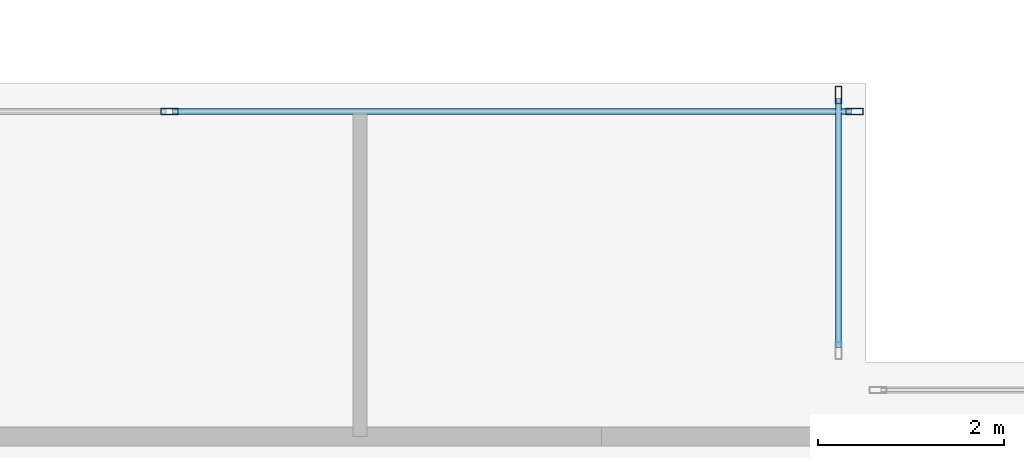
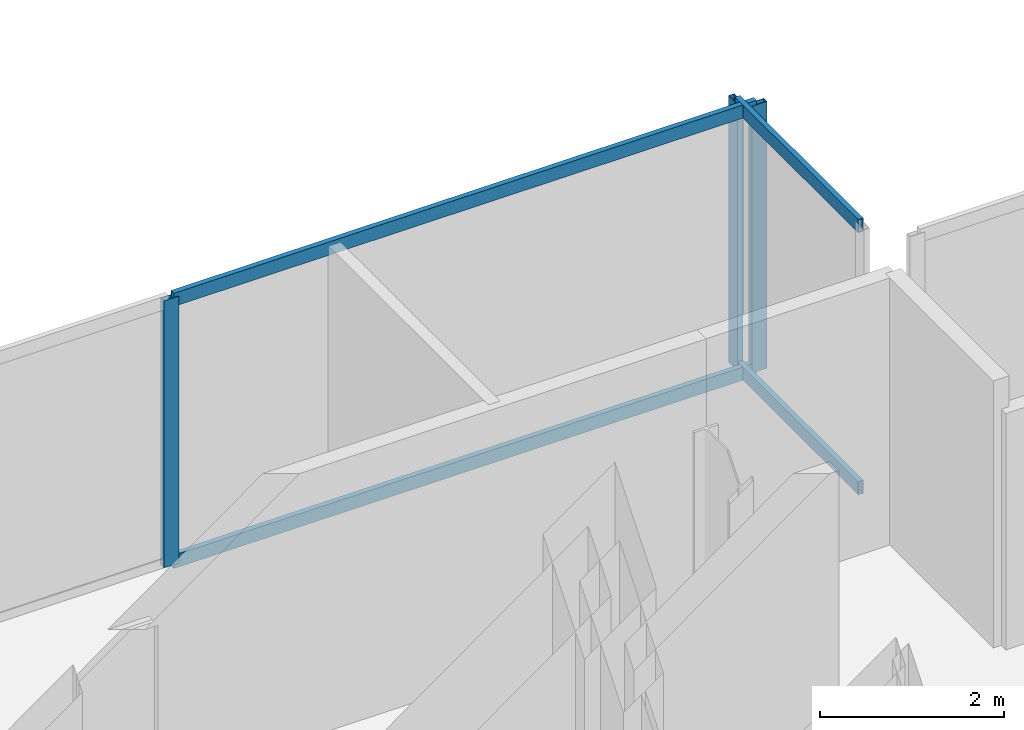
# One storey, part 12 of 21: 7 members, 2 elements without a shape of their own.
"""IFC4 building model written with IfcOpenShell, lengths in metres."""

from ifc_helpers import new_model, si_unit, direction, frame, origin, origin_2d, place, context, subcontext, project, spatial, hollow_rectangle, extrude, material, layer, layer_set, material_profile, profile_set, type_object, element, aggregate, save


model = new_model("IFC4")

# Units and contexts
model_context = context("Model", 3, precision=1e-05, world=origin(), true_north=direction((0.0, 1.0)))
body_context = subcontext(model_context, "Body", "Model", "MODEL_VIEW")
ifc_project = project(units=[si_unit("LENGTHUNIT", "METRE"), si_unit("AREAUNIT", "SQUARE_METRE"), si_unit("VOLUMEUNIT", "CUBIC_METRE"), si_unit("PLANEANGLEUNIT", "RADIAN"), si_unit("MASSUNIT", "GRAM", prefix="KILO"), si_unit("THERMODYNAMICTEMPERATUREUNIT", "KELVIN"), si_unit("POWERUNIT", "WATT")], contexts=[model_context])

# Site, building, storey
site_placement = place(None, origin())
site = spatial("IfcSite", under=ifc_project, at=site_placement, CompositionType="ELEMENT")
building_placement = place(site_placement, origin())
building = spatial("IfcBuilding", under=site, at=building_placement, Name="Svarakhadi Broadcast Tower", CompositionType="ELEMENT")
storey_placement = place(building_placement, frame((0.0, 0.0, 219.89990234375)))
storey = spatial("IfcBuildingStorey", under=building, at=storey_placement, Name="L54", CompositionType="ELEMENT", Elevation=219.89990234375)

# Curtain wall, members
ifc_material = material(Name="Anodised Bronze Aluminium AA 6063-T6", Category="aluminium")
ifc_layer = layer(ifc_material, 0.18994140625)
ifc_layer_set = layer_set([ifc_layer], Name="Anodised Bronze Aluminium AA 6063-T6")
curtain_wall_type = type_object("IfcCurtainWallType", Name="CW_Sys_04", PredefinedType="NOTDEFINED", material=ifc_layer_set)
curtain_wall_1_placement = place(storey_placement, origin())
curtain_wall_1 = element("IfcCurtainWall", 1, at=curtain_wall_1_placement, inside=storey, type_object=curtain_wall_type, Name="L54 Unitised Facade Curtain Wall 10", PredefinedType="NOTDEFINED")
ifc_material_profile_1 = material_profile(ifc_material, hollow_rectangle(XDim=0.070068359375, YDim=0.18994140625, WallThickness=0.005615234375, at=origin_2d()), Name="ALU MULLION 190x70x6")
ifc_profile_set_1 = profile_set([ifc_material_profile_1], Name="Anodised Bronze Aluminium AA 6063-T6")
member_type_1 = type_object("IfcMemberType", Name="CW_Sys_04_Mul", PredefinedType="MULLION", material=ifc_profile_set_1)
member_1_placement = place(storey_placement, frame((31.5, 23.699951171875, 0.0), z_axis=(0.0, 0.0, 1.0), x_axis=(0.0, 1.0, 0.0)))
member_1 = element("IfcMember", 2, at=member_1_placement, type_object=member_type_1, Name="CW-04 mullion 2", PredefinedType="MULLION", context=body_context, shape_type="SweptSolid", body=[
    extrude(hollow_rectangle(XDim=0.070068359375, YDim=0.18994140625, WallThickness=0.005615234375, at=origin_2d()), origin(), (0.0, 0.0, 1.0), 3.5400390625),
])
member_2_placement = place(storey_placement, frame((38.875, 23.699951171875, 0.0), z_axis=(0.0, 0.0, 1.0), x_axis=(0.0, 1.0, 0.0)))
member_2 = element("IfcMember", 3, at=member_2_placement, type_object=member_type_1, Name="CW-04 mullion 3", PredefinedType="MULLION", context=body_context, shape_type="SweptSolid", body=[
    extrude(hollow_rectangle(XDim=0.070068359375, YDim=0.18994140625, WallThickness=0.005615234375, at=origin_2d()), origin(), (0.0, 0.0, 1.0), 3.5400390625),
])

# Curtain wall, member
curtain_wall_2_placement = place(storey_placement, origin())
curtain_wall_2 = element("IfcCurtainWall", 4, at=curtain_wall_2_placement, inside=storey, type_object=curtain_wall_type, Name="L54 Unitised Facade Curtain Wall 11", PredefinedType="NOTDEFINED")
member_3_placement = place(storey_placement, frame((38.699951171875, 23.875, 0.0), z_axis=(0.0, 0.0, 1.0), x_axis=(1.0, 0.0, 0.0)))
member_3 = element("IfcMember", 5, at=member_3_placement, type_object=member_type_1, Name="CW-04 mullion 1", PredefinedType="MULLION", context=body_context, shape_type="SweptSolid", body=[
    extrude(hollow_rectangle(XDim=0.070068359375, YDim=0.18994140625, WallThickness=0.005615234375, at=origin_2d()), origin(), (0.0, 0.0, 1.0), 3.5400390625),
])

# Member
ifc_material_profile_2 = material_profile(ifc_material, hollow_rectangle(XDim=0.06494140625, YDim=0.175048828125, WallThickness=0.0048828125, at=origin_2d()), Name="ALU TRANSOM 175x65x5")
ifc_profile_set_2 = profile_set([ifc_material_profile_2], Name="Anodised Bronze Aluminium AA 6063-T6")
member_type_2 = type_object("IfcMemberType", Name="CW_Sys_04_Trn", PredefinedType="USERDEFINED", material=ifc_profile_set_2)
member_4_placement = place(storey_placement, frame((31.534912109375, 23.699951171875, 0.03271484375), z_axis=(1.0, 0.0, 0.0), x_axis=(0.0, 1.0, 0.0)))
member_4 = element("IfcMember", 6, at=member_4_placement, type_object=member_type_2, Name="CW-04 transom 2.1", ObjectType="TRANSOM", PredefinedType="USERDEFINED", context=body_context, shape_type="SweptSolid", body=[
    extrude(hollow_rectangle(XDim=0.06494140625, YDim=0.175048828125, WallThickness=0.0048828125, at=origin_2d()), origin(), (0.0, 0.0, 1.0), 7.30517578125),
])

member_5_placement = place(storey_placement, frame((31.534912109375, 23.699951171875, 3.507568359375), z_axis=(1.0, 0.0, 0.0), x_axis=(0.0, 1.0, 0.0)))
member_5 = element("IfcMember", 7, at=member_5_placement, type_object=member_type_2, Name="CW-04 transom 2.2", ObjectType="TRANSOM", PredefinedType="USERDEFINED", context=body_context, shape_type="SweptSolid", body=[
    extrude(hollow_rectangle(XDim=0.06494140625, YDim=0.175048828125, WallThickness=0.0048828125, at=origin_2d()), origin(), (0.0, 0.0, 1.0), 7.30517578125),
])

aggregate(curtain_wall_1, [member_1, member_2, member_4, member_5])

member_6_placement = place(storey_placement, frame((38.699951171875, 23.840087890625, 0.03271484375), z_axis=(0.0, -1.0, 0.0), x_axis=(1.0, 0.0, 0.0)))
member_6 = element("IfcMember", 8, at=member_6_placement, type_object=member_type_2, Name="CW-04 transom 1.1", ObjectType="TRANSOM", PredefinedType="USERDEFINED", context=body_context, shape_type="SweptSolid", body=[
    extrude(hollow_rectangle(XDim=0.06494140625, YDim=0.175048828125, WallThickness=0.0048828125, at=origin_2d()), origin(), (0.0, 0.0, 1.0), 2.68017578125),
])

member_7_placement = place(storey_placement, frame((38.699951171875, 23.840087890625, 3.507568359375), z_axis=(0.0, -1.0, 0.0), x_axis=(1.0, 0.0, 0.0)))
member_7 = element("IfcMember", 9, at=member_7_placement, type_object=member_type_2, Name="CW-04 transom 1.2", ObjectType="TRANSOM", PredefinedType="USERDEFINED", context=body_context, shape_type="SweptSolid", body=[
    extrude(hollow_rectangle(XDim=0.06494140625, YDim=0.175048828125, WallThickness=0.0048828125, at=origin_2d()), origin(), (0.0, 0.0, 1.0), 2.68017578125),
])

aggregate(curtain_wall_2, [member_3, member_6, member_7])

save(model, "model.ifc")
